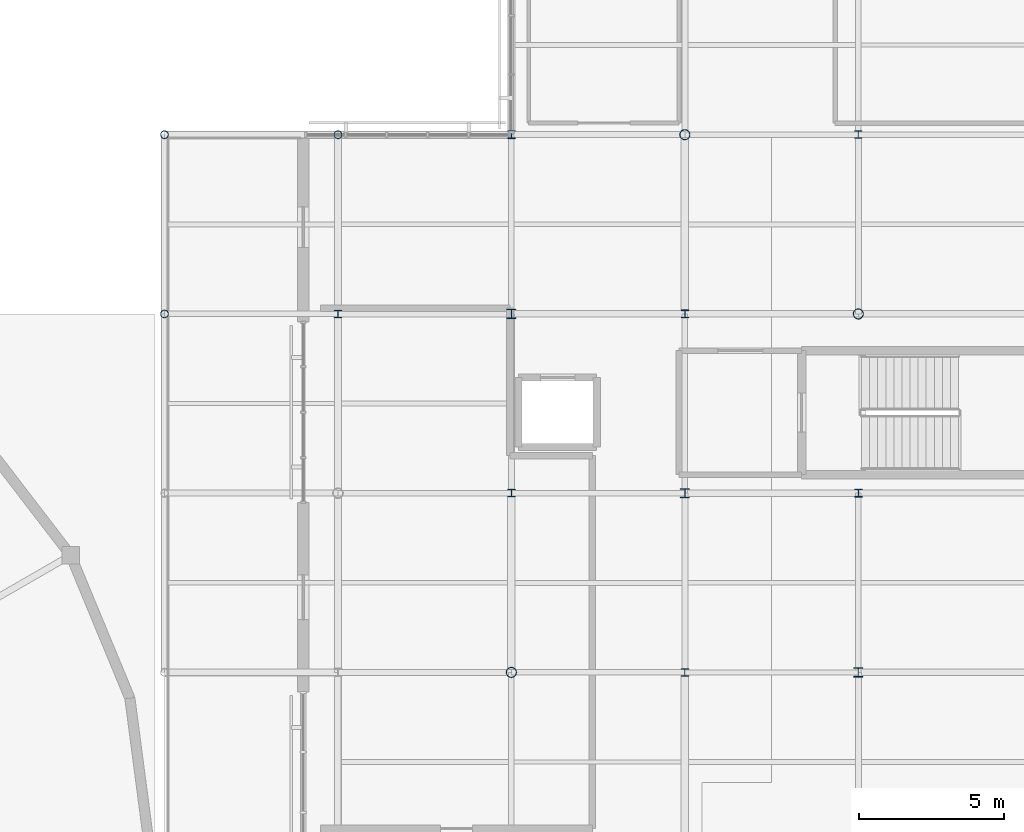
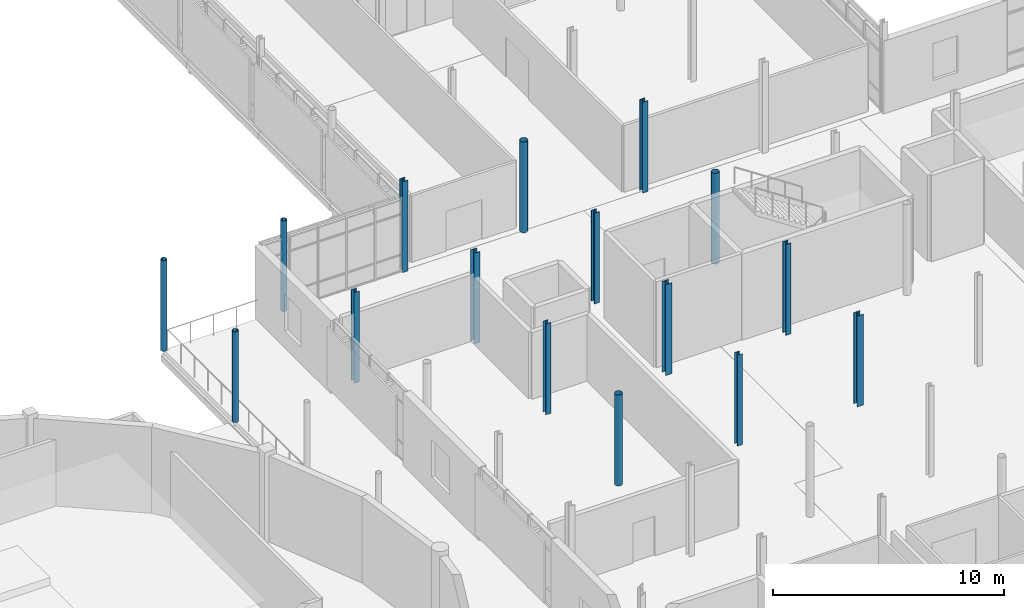
# One storey, part 9 of 84: 16 columns.
"""IFC4 building model written with IfcOpenShell, lengths in metres."""

from ifc_helpers import new_model, si_unit, direction, frame, origin, origin_2d, place, context, subcontext, project, spatial, hollow_circle, i_section, extrude, material, material_profile, profile_set, type_object, element, save


model = new_model("IFC4")

# Units and contexts
model_context = context("Model", 3, precision=1e-05, world=origin(), true_north=direction((0.0, 1.0)))
body_context = subcontext(model_context, "Body", "Model", "MODEL_VIEW")
ifc_project = project(units=[si_unit("LENGTHUNIT", "METRE"), si_unit("AREAUNIT", "SQUARE_METRE"), si_unit("VOLUMEUNIT", "CUBIC_METRE"), si_unit("PLANEANGLEUNIT", "RADIAN"), si_unit("MASSUNIT", "GRAM", prefix="KILO")], contexts=[model_context])

# Site, building, storey
site_placement = place(None, origin())
site = spatial("IfcSite", under=ifc_project, at=site_placement, CompositionType="ELEMENT")
building_placement = place(site_placement, origin())
building = spatial("IfcBuilding", under=site, at=building_placement, Name="Mirzam Square Science Centre", CompositionType="ELEMENT")
storey_placement = place(building_placement, frame((0.0, 0.0, 10.800048828125)))
storey = spatial("IfcBuildingStorey", under=building, at=storey_placement, Name="L02", CompositionType="ELEMENT", Elevation=10.800048828125)

# Columns
ifc_material = material(Name="Steel S355", Category="steel")
ifc_material_profile_1 = material_profile(ifc_material, hollow_circle(Radius=0.136474609375, WallThickness=0.010009765625, at=origin_2d()), Name="273.0x10.0CHS")
ifc_profile_set_1 = profile_set([ifc_material_profile_1], Name="Steel S355")
column_type_1 = type_object("IfcColumnType", Name="COL-CHS273", PredefinedType="COLUMN", material=ifc_profile_set_1)
for number, where, z_axis, x_axis, name in (
    (1, (102.0, 80.60009765625, 0.0), (0.0, 0.0, 1.0), (1.0, 0.0, 0.0), "L02 column G18-14"),
    (2, (102.0, 86.800048828125, 0.0), (0.0, 0.0, 1.0), (1.0, 0.0, 0.0), "L02 column G18-15"),
    (3, (108.0, 86.800048828125, 0.0), (0.0, 0.0, 1.0), (1.0, 0.0, 0.0), "L02 column G19-15"),
):
    element("IfcColumn", number, at=place(storey_placement, frame(where, z_axis=z_axis, x_axis=x_axis)), inside=storey, type_object=column_type_1, Name=name, PredefinedType="COLUMN", context=body_context, shape_type="SweptSolid", body=[
        extrude(hollow_circle(Radius=0.136474609375, WallThickness=0.010009765625, at=origin_2d()), origin(), (0.0, 0.0, 1.0), 4.800048828125),
    ])
ifc_material_profile_2 = material_profile(ifc_material, hollow_circle(Radius=0.177734375, WallThickness=0.012451171875, at=origin_2d()), Name="355.6x12.5CHS")
ifc_profile_set_2 = profile_set([ifc_material_profile_2], Name="Steel S355")
column_type_2 = type_object("IfcColumnType", Name="COL-CHS355", PredefinedType="COLUMN", material=ifc_profile_set_2)
for number, where, z_axis, x_axis, name in (
    (4, (114.0, 68.199951171875, 0.0), (0.0, 0.0, 1.0), (1.0, 0.0, 0.0), "L02 column G20-12"),
    (5, (120.0, 86.800048828125, 0.0), (0.0, 0.0, 1.0), (1.0, 0.0, 0.0), "L02 column G21-15"),
    (6, (126.0, 80.60009765625, 0.0), (0.0, 0.0, 1.0), (1.0, 0.0, 0.0), "L02 column G22-14"),
):
    element("IfcColumn", number, at=place(storey_placement, frame(where, z_axis=z_axis, x_axis=x_axis)), inside=storey, type_object=column_type_2, Name=name, PredefinedType="COLUMN", context=body_context, shape_type="SweptSolid", body=[
        extrude(hollow_circle(Radius=0.177734375, WallThickness=0.012451171875, at=origin_2d()), origin(), (0.0, 0.0, 1.0), 4.800048828125),
    ])
ifc_material_profile_3 = material_profile(ifc_material, i_section(OverallWidth=0.25634765625, OverallDepth=0.26025390625, WebThickness=0.01025390625, FlangeThickness=0.017333984375, FilletRadius=0.0126953125, at=origin_2d()), Name="254x254x89UC")
ifc_profile_set_3 = profile_set([ifc_material_profile_3], Name="Steel S355")
column_type_3 = type_object("IfcColumnType", Name="COL-UC254A", PredefinedType="COLUMN", material=ifc_profile_set_3)
for number, where, z_axis, x_axis, name in (
    (7, (108.0, 80.60009765625, 0.0), (0.0, 0.0, 1.0), (1.0, 0.0, 0.0), "L02 column G19-14"),
    (8, (114.0, 74.39990234375, 0.0), (0.0, 0.0, 1.0), (1.0, 0.0, 0.0), "L02 column G20-13"),
    (9, (120.0, 68.199951171875, 0.0), (0.0, 0.0, 1.0), (1.0, 0.0, 0.0), "L02 column G21-12"),
    (10, (126.0, 86.800048828125, 0.0), (0.0, 0.0, 1.0), (1.0, 0.0, 0.0), "L02 column G22-15"),
):
    element("IfcColumn", number, at=place(storey_placement, frame(where, z_axis=z_axis, x_axis=x_axis)), inside=storey, type_object=column_type_3, Name=name, PredefinedType="COLUMN", context=body_context, shape_type="SweptSolid", body=[
        extrude(i_section(OverallWidth=0.25634765625, OverallDepth=0.26025390625, WebThickness=0.01025390625, FlangeThickness=0.017333984375, FilletRadius=0.0126953125, at=origin_2d()), origin(), (0.0, 0.0, 1.0), 4.800048828125),
    ])
ifc_material_profile_4 = material_profile(ifc_material, i_section(OverallWidth=0.26123046875, OverallDepth=0.2763671875, WebThickness=0.015380859375, FlangeThickness=0.025390625, FilletRadius=0.0126953125, at=origin_2d()), Name="254x254x132UC")
ifc_profile_set_4 = profile_set([ifc_material_profile_4], Name="Steel S355")
column_type_4 = type_object("IfcColumnType", Name="COL-UC254B", PredefinedType="COLUMN", material=ifc_profile_set_4)
for number, where, z_axis, x_axis, name in (
    (11, (114.0, 86.800048828125, 0.0), (0.0, 0.0, 1.0), (1.0, 0.0, 0.0), "L02 column G20-15"),
    (12, (120.0, 80.60009765625, 0.0), (0.0, 0.0, 1.0), (1.0, 0.0, 0.0), "L02 column G21-14"),
    (13, (126.0, 74.39990234375, 0.0), (0.0, 0.0, 1.0), (1.0, 0.0, 0.0), "L02 column G22-13"),
):
    element("IfcColumn", number, at=place(storey_placement, frame(where, z_axis=z_axis, x_axis=x_axis)), inside=storey, type_object=column_type_4, Name=name, PredefinedType="COLUMN", context=body_context, shape_type="SweptSolid", body=[
        extrude(i_section(OverallWidth=0.26123046875, OverallDepth=0.2763671875, WebThickness=0.015380859375, FlangeThickness=0.025390625, FilletRadius=0.0126953125, at=origin_2d()), origin(), (0.0, 0.0, 1.0), 4.800048828125),
    ])
ifc_material_profile_5 = material_profile(ifc_material, i_section(OverallWidth=0.30908203125, OverallDepth=0.320556640625, WebThickness=0.013916015625, FlangeThickness=0.021728515625, FilletRadius=0.01513671875, at=origin_2d()), Name="305x305x137UC")
ifc_profile_set_5 = profile_set([ifc_material_profile_5], Name="Steel S355")
column_type_5 = type_object("IfcColumnType", Name="COL-UC305A", PredefinedType="COLUMN", material=ifc_profile_set_5)
for number, where, z_axis, x_axis, name in (
    (14, (114.0, 80.60009765625, 0.0), (0.0, 0.0, 1.0), (1.0, 0.0, 0.0), "L02 column G20-14"),
    (15, (120.0, 74.39990234375, 0.0), (0.0, 0.0, 1.0), (1.0, 0.0, 0.0), "L02 column G21-13"),
    (16, (126.0, 68.199951171875, 0.0), (0.0, 0.0, 1.0), (1.0, 0.0, 0.0), "L02 column G22-12"),
):
    element("IfcColumn", number, at=place(storey_placement, frame(where, z_axis=z_axis, x_axis=x_axis)), inside=storey, type_object=column_type_5, Name=name, PredefinedType="COLUMN", context=body_context, shape_type="SweptSolid", body=[
        extrude(i_section(OverallWidth=0.30908203125, OverallDepth=0.320556640625, WebThickness=0.013916015625, FlangeThickness=0.021728515625, FilletRadius=0.01513671875, at=origin_2d()), origin(), (0.0, 0.0, 1.0), 4.800048828125),
    ])

save(model, "model.ifc")
